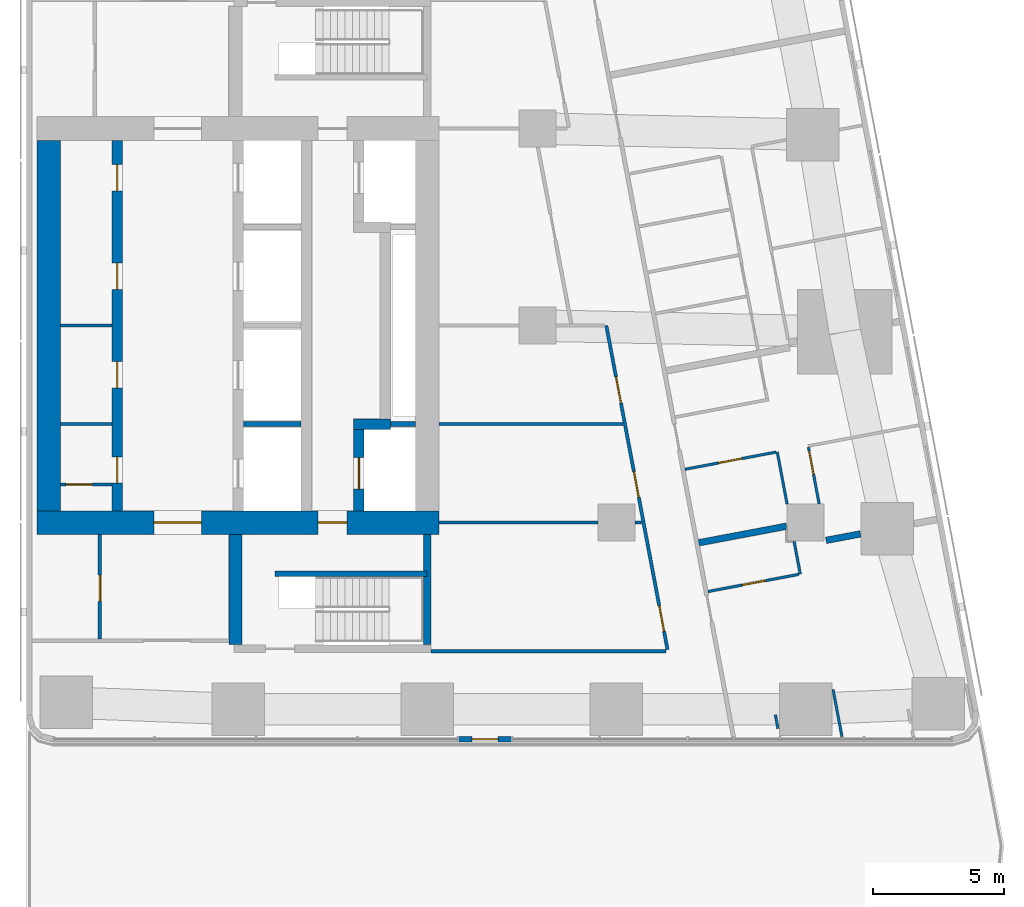
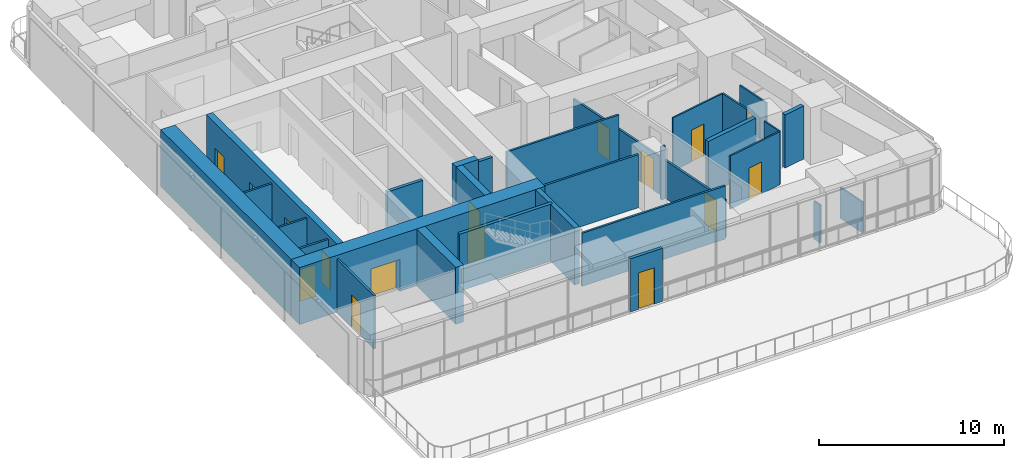
# One storey, part 5 of 12: 29 walls, 16 doors, 16 openings.
"""IFC4 building model written with IfcOpenShell, lengths in metres."""

from ifc_helpers import new_model, si_unit, direction, frame, frame_2d, origin, place, context, subcontext, project, spatial, rectangle, extrude, material, layer, layer_set, type_object, element, fill, save


model = new_model("IFC4")

# Units and contexts
model_context = context("Model", 3, precision=1e-05, world=origin(), true_north=direction((0.0, 1.0)))
body_context = subcontext(model_context, "Body", "Model", "MODEL_VIEW")
ifc_project = project(units=[si_unit("LENGTHUNIT", "METRE"), si_unit("AREAUNIT", "SQUARE_METRE"), si_unit("VOLUMEUNIT", "CUBIC_METRE"), si_unit("PLANEANGLEUNIT", "RADIAN"), si_unit("MASSUNIT", "GRAM", prefix="KILO")], contexts=[model_context])

# Site, building, storey
site_placement = place(None, origin())
site = spatial("IfcSite", under=ifc_project, at=site_placement, CompositionType="ELEMENT")
building_placement = place(site_placement, origin())
building = spatial("IfcBuilding", under=site, at=building_placement, Name="Sheger Commons Tower", CompositionType="ELEMENT")
storey_placement = place(building_placement, frame((0.0, 0.0, 251.60009765625)))
storey = spatial("IfcBuildingStorey", under=building, at=storey_placement, Name="L64", CompositionType="ELEMENT", Elevation=251.60009765625)

# Wall, openings, doors
ifc_material_1 = material(Name="Concrete C50/60", Category="concrete")
ifc_layer_1 = layer(ifc_material_1, 0.39990234375)
ifc_layer_set_1 = layer_set([ifc_layer_1], Name="CORE INNER WALL 400")
wall_type_1 = type_object("IfcWallType", Name="CORE INNER WALL 400", PredefinedType="SHEAR", material=ifc_layer_set_1)
wall_1_placement = place(storey_placement, frame((17.0, 15.449951171875, 0.0), z_axis=(0.0, 0.0, 1.0), x_axis=(0.0, 1.0, 0.0)))
wall_1 = element("IfcWall", 1, at=wall_1_placement, inside=storey, type_object=wall_type_1, Name="Core inner wall A L64", PredefinedType="SHEAR", context=body_context, shape_type="SweptSolid", body=[
    extrude(rectangle(XDim=14.10009765625, YDim=0.39990234375, at=frame_2d((7.050048828125, 0.0))), origin(), (0.0, 0.0, 1.0), 3.75),
])
opening_1_placement = place(wall_1_placement, frame((1.050048828125, 0.0, 0.0)))
opening_1 = element("IfcOpeningElement", 2, at=opening_1_placement, cuts=wall_1, Name="Opening D4", PredefinedType="OPENING", context=body_context, shape_type="SweptSolid", body=[
    extrude(rectangle(XDim=1.0, YDim=2.10009765625, at=frame_2d((0.5, 1.050048828125))), frame((0.0, 0.2099609375, 0.0), z_axis=(0.0, -1.0, 0.0), x_axis=(1.0, 0.0, 0.0)), (0.0, 0.0, 1.0), 0.419921875),
])
opening_2_placement = place(wall_1_placement, frame((4.675048828125, 0.0, 0.0)))
opening_2 = element("IfcOpeningElement", 3, at=opening_2_placement, cuts=wall_1, Name="Opening D4", PredefinedType="OPENING", context=body_context, shape_type="SweptSolid", body=[
    extrude(rectangle(XDim=1.0, YDim=2.10009765625, at=frame_2d((0.5, 1.050048828125))), frame((0.0, 0.2099609375, 0.0), z_axis=(0.0, -1.0, 0.0), x_axis=(1.0, 0.0, 0.0)), (0.0, 0.0, 1.0), 0.419921875),
])
opening_3_placement = place(wall_1_placement, frame((8.425048828125, 0.0, 0.0)))
opening_3 = element("IfcOpeningElement", 4, at=opening_3_placement, cuts=wall_1, Name="Opening D4", PredefinedType="OPENING", context=body_context, shape_type="SweptSolid", body=[
    extrude(rectangle(XDim=1.0, YDim=2.10009765625, at=frame_2d((0.5, 1.050048828125))), frame((0.0, 0.2099609375, 0.0), z_axis=(0.0, -1.0, 0.0), x_axis=(1.0, 0.0, 0.0)), (0.0, 0.0, 1.0), 0.419921875),
])
opening_4_placement = place(wall_1_placement, frame((12.175048828125, 0.0, 0.0)))
opening_4 = element("IfcOpeningElement", 5, at=opening_4_placement, cuts=wall_1, Name="Opening D4", PredefinedType="OPENING", context=body_context, shape_type="SweptSolid", body=[
    extrude(rectangle(XDim=1.0, YDim=2.10009765625, at=frame_2d((0.5, 1.050048828125))), frame((0.0, 0.2099609375, 0.0), z_axis=(0.0, -1.0, 0.0), x_axis=(1.0, 0.0, 0.0)), (0.0, 0.0, 1.0), 0.419921875),
])
ifc_material_2 = material(Name="Steel door set, fire rated", Category="steel")
door_type_1 = type_object("IfcDoorType", Name="SERVICE DOOR 1000x2100", OperationType="NOTDEFINED", PredefinedType="DOOR", material=ifc_material_2)
door_1_placement = place(opening_1_placement, origin())
door_1 = element("IfcDoor", 6, at=door_1_placement, inside=storey, type_object=door_type_1, Name="Cleaner's store door", OperationType="SINGLE_SWING_LEFT", OverallHeight=2.10009765625, OverallWidth=1.0, PredefinedType="DOOR", context=body_context, shape_type="SweptSolid", body=[
    extrude(rectangle(XDim=1.0, YDim=2.10009765625, at=frame_2d((0.5, 1.050048828125))), frame((0.0, 0.02490234375, 0.0), z_axis=(0.0, -1.0, 0.0), x_axis=(1.0, 0.0, 0.0)), (0.0, 0.0, 1.0), 0.050048828125),
])
fill(opening_1, door_1)
door_2_placement = place(opening_2_placement, origin())
door_2 = element("IfcDoor", 7, at=door_2_placement, inside=storey, type_object=door_type_1, Name="IT and telecom room door", OperationType="SINGLE_SWING_LEFT", OverallHeight=2.10009765625, OverallWidth=1.0, PredefinedType="DOOR", context=body_context, shape_type="SweptSolid", body=[
    extrude(rectangle(XDim=1.0, YDim=2.10009765625, at=frame_2d((0.5, 1.050048828125))), frame((0.0, 0.02490234375, 0.0), z_axis=(0.0, -1.0, 0.0), x_axis=(1.0, 0.0, 0.0)), (0.0, 0.0, 1.0), 0.050048828125),
])
fill(opening_2, door_2)
door_3_placement = place(opening_3_placement, origin())
door_3 = element("IfcDoor", 8, at=door_3_placement, inside=storey, type_object=door_type_1, Name="Residents' pantry and vending room door", OperationType="SINGLE_SWING_LEFT", OverallHeight=2.10009765625, OverallWidth=1.0, PredefinedType="DOOR", context=body_context, shape_type="SweptSolid", body=[
    extrude(rectangle(XDim=1.0, YDim=2.10009765625, at=frame_2d((0.5, 1.050048828125))), frame((0.0, 0.02490234375, 0.0), z_axis=(0.0, -1.0, 0.0), x_axis=(1.0, 0.0, 0.0)), (0.0, 0.0, 1.0), 0.050048828125),
])
fill(opening_3, door_3)
door_4_placement = place(opening_4_placement, origin())
door_4 = element("IfcDoor", 9, at=door_4_placement, inside=storey, type_object=door_type_1, Name="Residents' pantry and vending room door", OperationType="SINGLE_SWING_RIGHT", OverallHeight=2.10009765625, OverallWidth=1.0, PredefinedType="DOOR", context=body_context, shape_type="SweptSolid", body=[
    extrude(rectangle(XDim=1.0, YDim=2.10009765625, at=frame_2d((0.5, 1.050048828125))), frame((0.0, 0.02490234375, 0.0), z_axis=(0.0, -1.0, 0.0), x_axis=(1.0, 0.0, 0.0)), (0.0, 0.0, 1.0), 0.050048828125),
])
fill(opening_4, door_4)

# Wall, opening, door
wall_2_placement = place(storey_placement, frame((26.199951171875, 15.449951171875, 0.0), z_axis=(0.0, 0.0, 1.0), x_axis=(0.0, 1.0, 0.0)))
wall_2 = element("IfcWall", 10, at=wall_2_placement, inside=storey, type_object=wall_type_1, Name="Core inner wall F L64", PredefinedType="SHEAR", context=body_context, shape_type="SweptSolid", body=[
    extrude(rectangle(XDim=3.10009765625, YDim=0.39990234375, at=frame_2d((1.550048828125, 0.0))), origin(), (0.0, 0.0, 1.0), 3.75),
])
opening_5_placement = place(wall_2_placement, frame((0.824951171875, 0.0, 0.0)))
opening_5 = element("IfcOpeningElement", 11, at=opening_5_placement, cuts=wall_2, Name="Opening LD2", PredefinedType="OPENING", context=body_context, shape_type="SweptSolid", body=[
    extrude(rectangle(XDim=1.199951171875, YDim=2.10009765625, at=frame_2d((0.60009765625, 1.050048828125))), frame((0.0, 0.2099609375, 0.0), z_axis=(0.0, -1.0, 0.0), x_axis=(1.0, 0.0, 0.0)), (0.0, 0.0, 1.0), 0.419921875),
])
ifc_material_3 = material(Name="Steel door set, fire rated", Category="steel")
door_type_2 = type_object("IfcDoorType", Name="FIREFIGHTING LIFT LANDING DOOR 1200x2100", OperationType="DOUBLE_DOOR_SLIDING", PredefinedType="DOOR", material=ifc_material_3)
door_5_placement = place(opening_5_placement, origin())
door_5 = element("IfcDoor", 12, at=door_5_placement, inside=storey, type_object=door_type_2, Name="Lift FL1 landing door", OperationType="DOUBLE_DOOR_SLIDING", OverallHeight=2.10009765625, OverallWidth=1.199951171875, PredefinedType="DOOR", context=body_context, shape_type="SweptSolid", body=[
    extrude(rectangle(XDim=1.199951171875, YDim=2.10009765625, at=frame_2d((0.60009765625, 1.050048828125))), frame((0.0, 0.02490234375, 0.0), z_axis=(0.0, -1.0, 0.0), x_axis=(1.0, 0.0, 0.0)), (0.0, 0.0, 1.0), 0.050048828125),
])
fill(opening_5, door_5)

# Wall
wall_3_placement = place(storey_placement, frame((26.0, 18.75, 0.0), z_axis=(0.0, 0.0, 1.0), x_axis=(1.0, 0.0, 0.0)))
element("IfcWall", 13, at=wall_3_placement, inside=storey, type_object=wall_type_1, Name="Core inner wall F south return L64", PredefinedType="SHEAR", context=body_context, shape_type="SweptSolid", body=[
    extrude(rectangle(XDim=1.39990234375, YDim=0.39990234375, at=frame_2d((0.699951171875, 0.0))), origin(), (0.0, 0.0, 1.0), 3.75),
])

# Wall, openings, doors
ifc_material_4 = material(Name="Concrete C50/60", Category="concrete")
ifc_layer_2 = layer(ifc_material_4, 0.89990234375)
ifc_layer_set_2 = layer_set([ifc_layer_2], Name="CORE WALL 900")
wall_type_2 = type_object("IfcWallType", Name="CORE WALL 900", PredefinedType="SHEAR", material=ifc_layer_set_2)
wall_4_placement = place(storey_placement, frame((13.949951171875, 15.0, 0.0), z_axis=(0.0, 0.0, 1.0), x_axis=(1.0, 0.0, 0.0)))
wall_4 = element("IfcWall", 14, at=wall_4_placement, inside=storey, type_object=wall_type_2, Name="Core wall south L64", PredefinedType="SHEAR", context=body_context, shape_type="SweptSolid", body=[
    extrude(rectangle(XDim=15.300048828125, YDim=0.89990234375, at=frame_2d((7.64990234375, 0.0))), origin(), (0.0, 0.0, 1.0), 3.75),
])
opening_6_placement = place(wall_4_placement, frame((4.449951171875, 0.0, 0.0)))
opening_6 = element("IfcOpeningElement", 15, at=opening_6_placement, cuts=wall_4, Name="Opening D6", PredefinedType="OPENING", context=body_context, shape_type="SweptSolid", body=[
    extrude(rectangle(XDim=1.800048828125, YDim=2.10009765625, at=frame_2d((0.89990234375, 1.050048828125))), frame((0.0, 0.4599609375, 0.0), z_axis=(0.0, -1.0, 0.0), x_axis=(1.0, 0.0, 0.0)), (0.0, 0.0, 1.0), 0.919921875),
])
opening_7_placement = place(wall_4_placement, frame((10.699951171875, 0.0, 0.0)))
opening_7 = element("IfcOpeningElement", 16, at=opening_7_placement, cuts=wall_4, Name="Opening D5", PredefinedType="OPENING", context=body_context, shape_type="SweptSolid", body=[
    extrude(rectangle(XDim=1.10009765625, YDim=2.10009765625, at=frame_2d((0.550048828125, 1.050048828125))), frame((0.0, 0.4599609375, 0.0), z_axis=(0.0, -1.0, 0.0), x_axis=(1.0, 0.0, 0.0)), (0.0, 0.0, 1.0), 0.919921875),
])
ifc_material_5 = material(Name="Steel door set, fire rated", Category="steel")
door_type_3 = type_object("IfcDoorType", Name="LOBBY DOUBLE DOOR 1800x2100", OperationType="DOUBLE_DOOR_SINGLE_SWING", PredefinedType="DOOR", material=ifc_material_5)
door_6_placement = place(opening_6_placement, origin())
door_6 = element("IfcDoor", 17, at=door_6_placement, inside=storey, type_object=door_type_3, Name="Lift lobby door", OperationType="DOUBLE_DOOR_SINGLE_SWING", OverallHeight=2.10009765625, OverallWidth=1.800048828125, PredefinedType="DOOR", context=body_context, shape_type="SweptSolid", body=[
    extrude(rectangle(XDim=1.800048828125, YDim=2.10009765625, at=frame_2d((0.89990234375, 1.050048828125))), frame((0.0, 0.02490234375, 0.0), z_axis=(0.0, -1.0, 0.0), x_axis=(1.0, 0.0, 0.0)), (0.0, 0.0, 1.0), 0.050048828125),
])
fill(opening_6, door_6)
ifc_material_6 = material(Name="Steel door set, fire rated", Category="steel")
door_type_4 = type_object("IfcDoorType", Name="STAIR DOOR 1100x2100", OperationType="NOTDEFINED", PredefinedType="DOOR", material=ifc_material_6)
door_7_placement = place(opening_7_placement, origin())
door_7 = element("IfcDoor", 18, at=door_7_placement, inside=storey, type_object=door_type_4, Name="Fire-fighting lobby door", OperationType="SINGLE_SWING_LEFT", OverallHeight=2.10009765625, OverallWidth=1.10009765625, PredefinedType="DOOR", context=body_context, shape_type="SweptSolid", body=[
    extrude(rectangle(XDim=1.10009765625, YDim=2.10009765625, at=frame_2d((0.550048828125, 1.050048828125))), frame((0.0, 0.02490234375, 0.0), z_axis=(0.0, -1.0, 0.0), x_axis=(1.0, 0.0, 0.0)), (0.0, 0.0, 1.0), 0.050048828125),
])
fill(opening_7, door_7)

# Walls
wall_5_placement = place(storey_placement, frame((14.39990234375, 15.449951171875, 0.0), z_axis=(0.0, 0.0, 1.0), x_axis=(0.0, 1.0, 0.0)))
element("IfcWall", 19, at=wall_5_placement, inside=storey, type_object=wall_type_2, Name="Core wall west L64", PredefinedType="SHEAR", context=body_context, shape_type="SweptSolid", body=[
    extrude(rectangle(XDim=14.10009765625, YDim=0.89990234375, at=frame_2d((7.050048828125, 0.0))), origin(), (0.0, 0.0, 1.0), 3.75),
])
ifc_material_7 = material(Name="Dense concrete block masonry, plastered both sides (separating wall between flats)", Category="masonry")
ifc_layer_3 = layer(ifc_material_7, 0.25)
ifc_layer_set_3 = layer_set([ifc_layer_3], Name="DEMISING WALL 250")
wall_type_3 = type_object("IfcWallType", Name="DEMISING WALL 250", PredefinedType="SOLIDWALL", material=ifc_layer_set_3)
wall_6_placement = place(storey_placement, frame((45.2900390625, 14.569091796875, 0.0), z_axis=(0.0, 0.0, 1.0), x_axis=(-0.982676759201, -0.185327782391, 0.0)))
element("IfcWall", 20, at=wall_6_placement, inside=storey, type_object=wall_type_3, Name="Demising wall L64", PredefinedType="SOLIDWALL", context=body_context, shape_type="SweptSolid", body=[
    extrude(rectangle(XDim=1.333251953125, YDim=0.25, at=frame_2d((0.66650390625, 0.0))), origin(), (0.0, 0.0, 1.0), 3.5),
])
wall_7_placement = place(storey_placement, frame((42.47607421875, 14.863037109375, 0.0), z_axis=(0.0, 0.0, 1.0), x_axis=(-0.982603567712, -0.185715450942, 0.0)))
element("IfcWall", 21, at=wall_7_placement, inside=storey, type_object=wall_type_3, Name="Demising wall L64", PredefinedType="SOLIDWALL", context=body_context, shape_type="SweptSolid", body=[
    extrude(rectangle(XDim=3.398193359375, YDim=0.25, at=frame_2d((1.69921875, 0.0))), origin(), (0.0, 0.0, 1.0), 3.5),
])

# Wall, opening, door
ifc_material_8 = material(Name="Rendered concrete block masonry, dark grey", Category="masonry")
ifc_layer_4 = layer(ifc_material_8, 0.199951171875)
ifc_layer_set_4 = layer_set([ifc_layer_4], Name="FACADE WALL 200")
wall_type_4 = type_object("IfcWallType", Name="FACADE WALL 200", PredefinedType="SOLIDWALL", material=ifc_layer_set_4)
wall_8_placement = place(storey_placement, frame((30.0, 6.75, 0.0), z_axis=(0.0, 0.0, 1.0), x_axis=(1.0, 0.0, 0.0)))
wall_8 = element("IfcWall", 22, at=wall_8_placement, inside=storey, type_object=wall_type_4, Name="Terrace door wall L64", PredefinedType="SOLIDWALL", context=body_context, shape_type="SweptSolid", body=[
    extrude(rectangle(XDim=2.0, YDim=0.199951171875, at=frame_2d((1.0, 0.0))), origin(), (0.0, 0.0, 1.0), 3.5),
])
opening_8_placement = place(wall_8_placement, frame((0.5, 0.0, 0.0)))
opening_8 = element("IfcOpeningElement", 23, at=opening_8_placement, cuts=wall_8, Name="Opening DT1", PredefinedType="OPENING", context=body_context, shape_type="SweptSolid", body=[
    extrude(rectangle(XDim=1.0, YDim=2.39990234375, at=frame_2d((0.5, 1.199951171875))), frame((0.0, 0.10986328125, 0.0), z_axis=(0.0, -1.0, 0.0), x_axis=(1.0, 0.0, 0.0)), (0.0, 0.0, 1.0), 0.219970703125),
])
ifc_material_9 = material(Name="Black aluminium frame, dark tinted glazing", Category="aluminium")
door_type_5 = type_object("IfcDoorType", Name="TERRACE DOOR 1000x2400", OperationType="SINGLE_SWING_RIGHT", PredefinedType="DOOR", material=ifc_material_9)
door_8_placement = place(opening_8_placement, origin())
door_8 = element("IfcDoor", 24, at=door_8_placement, inside=storey, type_object=door_type_5, Name="Terrace door", OperationType="SINGLE_SWING_RIGHT", OverallHeight=2.39990234375, OverallWidth=1.0, PredefinedType="DOOR", context=body_context, shape_type="SweptSolid", body=[
    extrude(rectangle(XDim=1.0, YDim=2.39990234375, at=frame_2d((0.5, 1.199951171875))), frame((0.0, 0.02490234375, 0.0), z_axis=(0.0, -1.0, 0.0), x_axis=(1.0, 0.0, 0.0)), (0.0, 0.0, 1.0), 0.050048828125),
])
fill(opening_8, door_8)

# Walls
ifc_material_10 = material(Name="Gypsum board on steel studs", Category="steel")
ifc_layer_5 = layer(ifc_material_10, 0.10009765625)
ifc_layer_set_5 = layer_set([ifc_layer_5], Name="PARTITION 100")
wall_type_5 = type_object("IfcWallType", Name="PARTITION 100", PredefinedType="PARTITIONING", material=ifc_layer_set_5)
wall_9_placement = place(storey_placement, frame((44.248046875, 8.64599609375, 0.0), z_axis=(0.0, 0.0, 1.0), x_axis=(0.185417594585, -0.982659816833, 0.0)))
element("IfcWall", 25, at=wall_9_placement, inside=storey, type_object=wall_type_5, Name="Partition L64", PredefinedType="PARTITIONING", context=body_context, shape_type="SweptSolid", body=[
    extrude(rectangle(XDim=1.82763671875, YDim=0.10009765625, at=frame_2d((0.913818359375, 0.0))), origin(), (0.0, 0.0, 1.0), 2.0498046875),
])
wall_10_placement = place(storey_placement, frame((42.15087890625, 7.159912109375, 0.0), z_axis=(0.0, 0.0, 1.0), x_axis=(-0.185366164644, 0.982669519729, 0.0)))
element("IfcWall", 26, at=wall_10_placement, inside=storey, type_object=wall_type_5, Name="Partition L64", PredefinedType="PARTITIONING", context=body_context, shape_type="SweptSolid", body=[
    extrude(rectangle(XDim=0.533447265625, YDim=0.10009765625, at=frame_2d((0.2666015625, 0.0))), origin(), (0.0, 0.0, 1.0), 2.5),
])

# Wall, opening, door
wall_11_placement = place(storey_placement, frame((43.31103515625, 17.864990234375, 0.0), z_axis=(0.0, 0.0, 1.0), x_axis=(0.185572140257, -0.982630643101, 0.0)))
wall_11 = element("IfcWall", 27, at=wall_11_placement, inside=storey, type_object=wall_type_5, Name="Partition L64", PredefinedType="PARTITIONING", context=body_context, shape_type="SweptSolid", body=[
    extrude(rectangle(XDim=2.193115234375, YDim=0.10009765625, at=frame_2d((1.0966796875, 0.0))), origin(), (0.0, 0.0, 1.0), 3.5),
])
opening_9_placement = place(wall_11_placement, frame((0.14990234375, 0.0, 0.0)))
opening_9 = element("IfcOpeningElement", 28, at=opening_9_placement, cuts=wall_11, Name="Opening D2", PredefinedType="OPENING", context=body_context, shape_type="SweptSolid", body=[
    extrude(rectangle(XDim=0.89990234375, YDim=2.10009765625, at=frame_2d((0.449951171875, 1.050048828125))), frame((0.0, 0.06005859375, 0.0), z_axis=(0.0, -1.0, 0.0), x_axis=(1.0, 0.0, 0.0)), (0.0, 0.0, 1.0), 0.1201171875),
])
ifc_material_11 = material(Name="Timber door set", Category="wood")
door_type_6 = type_object("IfcDoorType", Name="INTERNAL DOOR 900x2100", OperationType="NOTDEFINED", PredefinedType="DOOR", material=ifc_material_11)
door_9_placement = place(opening_9_placement, origin())
door_9 = element("IfcDoor", 29, at=door_9_placement, inside=storey, type_object=door_type_6, Name="Main bedroom door", OperationType="SINGLE_SWING_LEFT", OverallHeight=2.10009765625, OverallWidth=0.89990234375, PredefinedType="DOOR", context=body_context, shape_type="SweptSolid", body=[
    extrude(rectangle(XDim=0.89990234375, YDim=2.10009765625, at=frame_2d((0.449951171875, 1.050048828125))), frame((0.0, 0.02490234375, 0.0), z_axis=(0.0, -1.0, 0.0), x_axis=(1.0, 0.0, 0.0)), (0.0, 0.0, 1.0), 0.050048828125),
])
fill(opening_9, door_9)

# Wall
wall_12_placement = place(storey_placement, frame((42.123046875, 17.69091796875, 0.0), z_axis=(0.0, 0.0, 1.0), x_axis=(0.185183804812, -0.98270390171, 0.0)))
element("IfcWall", 30, at=wall_12_placement, inside=storey, type_object=wall_type_5, Name="Partition L64", PredefinedType="PARTITIONING", context=body_context, shape_type="SweptSolid", body=[
    extrude(rectangle(XDim=2.02490234375, YDim=0.10009765625, at=frame_2d((1.012451171875, 0.0))), origin(), (0.0, 0.0, 1.0), 3.5),
])

# Wall, opening, door
wall_13_placement = place(storey_placement, frame((42.073974609375, 17.681884765625, 0.0), z_axis=(0.0, 0.0, 1.0), x_axis=(-0.982660701716, -0.185412904897, 0.0)))
wall_13 = element("IfcWall", 31, at=wall_13_placement, inside=storey, type_object=wall_type_5, Name="Partition L64", PredefinedType="PARTITIONING", context=body_context, shape_type="SweptSolid", body=[
    extrude(rectangle(XDim=3.526123046875, YDim=0.10009765625, at=frame_2d((1.76318359375, 0.0))), origin(), (0.0, 0.0, 1.0), 3.5),
])
opening_10_placement = place(wall_13_placement, frame((1.325927734375, 0.0, 0.0)))
opening_10 = element("IfcOpeningElement", 32, at=opening_10_placement, cuts=wall_13, Name="Opening D2", PredefinedType="OPENING", context=body_context, shape_type="SweptSolid", body=[
    extrude(rectangle(XDim=0.89990234375, YDim=2.10009765625, at=frame_2d((0.449951171875, 1.050048828125))), frame((0.0, 0.06005859375, 0.0), z_axis=(0.0, -1.0, 0.0), x_axis=(1.0, 0.0, 0.0)), (0.0, 0.0, 1.0), 0.1201171875),
])
door_10_placement = place(opening_10_placement, origin())
door_10 = element("IfcDoor", 33, at=door_10_placement, inside=storey, type_object=door_type_6, Name="Store door", OperationType="SINGLE_SWING_RIGHT", OverallHeight=2.10009765625, OverallWidth=0.89990234375, PredefinedType="DOOR", context=body_context, shape_type="SweptSolid", body=[
    extrude(rectangle(XDim=0.89990234375, YDim=2.10009765625, at=frame_2d((0.449951171875, 1.050048828125))), frame((0.0, 0.02490234375, 0.0), z_axis=(0.0, -1.0, 0.0), x_axis=(1.0, 0.0, 0.0)), (0.0, 0.0, 1.0), 0.050048828125),
])
fill(opening_10, door_10)

# Wall
wall_14_placement = place(storey_placement, frame((42.764892578125, 14.2900390625, 0.0), z_axis=(0.0, 0.0, 1.0), x_axis=(0.185446293138, -0.982654401283, 0.0)))
element("IfcWall", 34, at=wall_14_placement, inside=storey, type_object=wall_type_5, Name="Partition L64", PredefinedType="PARTITIONING", context=body_context, shape_type="SweptSolid", body=[
    extrude(rectangle(XDim=1.27294921875, YDim=0.10009765625, at=frame_2d((0.636474609375, 0.0))), origin(), (0.0, 0.0, 1.0), 3.5),
])

# Wall, opening, door
wall_15_placement = place(storey_placement, frame((42.951904296875, 13.030029296875, 0.0), z_axis=(0.0, 0.0, 1.0), x_axis=(-0.982585626838, -0.185810349366, 0.0)))
wall_15 = element("IfcWall", 35, at=wall_15_placement, inside=storey, type_object=wall_type_5, Name="Partition L64", PredefinedType="PARTITIONING", context=body_context, shape_type="SweptSolid", body=[
    extrude(rectangle(XDim=3.525146484375, YDim=0.10009765625, at=frame_2d((1.7626953125, 0.0))), origin(), (0.0, 0.0, 1.0), 3.5),
])
opening_11_placement = place(wall_15_placement, frame((1.299072265625, 0.0, 0.0)))
opening_11 = element("IfcOpeningElement", 36, at=opening_11_placement, cuts=wall_15, Name="Opening D2", PredefinedType="OPENING", context=body_context, shape_type="SweptSolid", body=[
    extrude(rectangle(XDim=0.89990234375, YDim=2.10009765625, at=frame_2d((0.449951171875, 1.050048828125))), frame((0.0, 0.06005859375, 0.0), z_axis=(0.0, -1.0, 0.0), x_axis=(1.0, 0.0, 0.0)), (0.0, 0.0, 1.0), 0.1201171875),
])
door_11_placement = place(opening_11_placement, origin())
door_11 = element("IfcDoor", 37, at=door_11_placement, inside=storey, type_object=door_type_6, Name="Shower room door", OperationType="SINGLE_SWING_RIGHT", OverallHeight=2.10009765625, OverallWidth=0.89990234375, PredefinedType="DOOR", context=body_context, shape_type="SweptSolid", body=[
    extrude(rectangle(XDim=0.89990234375, YDim=2.10009765625, at=frame_2d((0.449951171875, 1.050048828125))), frame((0.0, 0.02490234375, 0.0), z_axis=(0.0, -1.0, 0.0), x_axis=(1.0, 0.0, 0.0)), (0.0, 0.0, 1.0), 0.050048828125),
])
fill(opening_11, door_11)

ifc_material_12 = material(Name="Gypsum board on steel studs, two layers each side, fire rated", Category="steel")
ifc_layer_6 = layer(ifc_material_12, 0.125)
ifc_layer_set_6 = layer_set([ifc_layer_6], Name="SERVICE WALL 125")
wall_type_6 = type_object("IfcWallType", Name="SERVICE WALL 125", PredefinedType="PARTITIONING", material=ifc_layer_set_6)
wall_16_placement = place(storey_placement, frame((16.340087890625, 10.56201171875, 0.0), z_axis=(0.0, 0.0, 1.0), x_axis=(0.0, 1.0, 0.0)))
wall_16 = element("IfcWall", 38, at=wall_16_placement, inside=storey, type_object=wall_type_6, Name="Service room wall L64", PredefinedType="PARTITIONING", context=body_context, shape_type="SweptSolid", body=[
    extrude(rectangle(XDim=3.988037109375, YDim=0.125, at=frame_2d((1.994140625, 0.0))), origin(), (0.0, 0.0, 1.0), 3.5),
])
opening_12_placement = place(wall_16_placement, frame((1.43798828125, 0.0, 0.0)))
opening_12 = element("IfcOpeningElement", 39, at=opening_12_placement, cuts=wall_16, Name="Opening D4", PredefinedType="OPENING", context=body_context, shape_type="SweptSolid", body=[
    extrude(rectangle(XDim=1.0, YDim=2.10009765625, at=frame_2d((0.5, 1.050048828125))), frame((0.0, 0.072509765625, 0.0), z_axis=(0.0, -1.0, 0.0), x_axis=(1.0, 0.0, 0.0)), (0.0, 0.0, 1.0), 0.14501953125),
])
door_12_placement = place(opening_12_placement, origin())
door_12 = element("IfcDoor", 40, at=door_12_placement, inside=storey, type_object=door_type_1, Name="Electrical room door", OperationType="SINGLE_SWING_LEFT", OverallHeight=2.10009765625, OverallWidth=1.0, PredefinedType="DOOR", context=body_context, shape_type="SweptSolid", body=[
    extrude(rectangle(XDim=1.0, YDim=2.10009765625, at=frame_2d((0.5, 1.050048828125))), frame((0.0, 0.02490234375, 0.0), z_axis=(0.0, -1.0, 0.0), x_axis=(1.0, 0.0, 0.0)), (0.0, 0.0, 1.0), 0.050048828125),
])
fill(opening_12, door_12)

# Wall
wall_17_placement = place(storey_placement, frame((28.949951171875, 10.10009765625, 0.0), z_axis=(0.0, 0.0, 1.0), x_axis=(1.0, 0.0, 0.0)))
element("IfcWall", 41, at=wall_17_placement, inside=storey, type_object=wall_type_6, Name="Service room wall L64", PredefinedType="PARTITIONING", context=body_context, shape_type="SweptSolid", body=[
    extrude(rectangle(XDim=8.93310546875, YDim=0.125, at=frame_2d((4.466552734375, 0.0))), origin(), (0.0, 0.0, 1.0), 3.5),
])

# Wall, openings, doors
wall_18_placement = place(storey_placement, frame((37.947021484375, 10.1630859375, 0.0), z_axis=(0.0, 0.0, 1.0), x_axis=(-0.185589250699, 0.982627411599, 0.0)))
wall_18 = element("IfcWall", 42, at=wall_18_placement, inside=storey, type_object=wall_type_6, Name="Service room wall L64", PredefinedType="PARTITIONING", context=body_context, shape_type="SweptSolid", body=[
    extrude(rectangle(XDim=12.554931640625, YDim=0.125, at=frame_2d((6.27734375, 0.0))), origin(), (0.0, 0.0, 1.0), 2.5),
])
opening_13_placement = place(wall_18_placement, frame((0.7080078125, 0.0, 0.0)))
opening_13 = element("IfcOpeningElement", 43, at=opening_13_placement, cuts=wall_18, Name="Opening D4", PredefinedType="OPENING", context=body_context, shape_type="SweptSolid", body=[
    extrude(rectangle(XDim=1.0, YDim=2.10009765625, at=frame_2d((0.5, 1.050048828125))), frame((0.0, 0.072509765625, 0.0), z_axis=(0.0, -1.0, 0.0), x_axis=(1.0, 0.0, 0.0)), (0.0, 0.0, 1.0), 0.14501953125),
])
opening_14_placement = place(wall_18_placement, frame((5.89990234375, 0.0, 0.0)))
opening_14 = element("IfcOpeningElement", 44, at=opening_14_placement, cuts=wall_18, Name="Opening D4", PredefinedType="OPENING", context=body_context, shape_type="SweptSolid", body=[
    extrude(rectangle(XDim=1.0, YDim=2.10009765625, at=frame_2d((0.5, 1.050048828125))), frame((0.0, 0.072509765625, 0.0), z_axis=(0.0, -1.0, 0.0), x_axis=(1.0, 0.0, 0.0)), (0.0, 0.0, 1.0), 0.14501953125),
])
opening_15_placement = place(wall_18_placement, frame((9.56201171875, 0.0, 0.0)))
opening_15 = element("IfcOpeningElement", 45, at=opening_15_placement, cuts=wall_18, Name="Opening D4", PredefinedType="OPENING", context=body_context, shape_type="SweptSolid", body=[
    extrude(rectangle(XDim=1.0, YDim=2.10009765625, at=frame_2d((0.5, 1.050048828125))), frame((0.0, 0.072509765625, 0.0), z_axis=(0.0, -1.0, 0.0), x_axis=(1.0, 0.0, 0.0)), (0.0, 0.0, 1.0), 0.14501953125),
])
door_13_placement = place(opening_13_placement, origin())
door_13 = element("IfcDoor", 46, at=door_13_placement, inside=storey, type_object=door_type_1, Name="Residents' study room door", OperationType="SINGLE_SWING_LEFT", OverallHeight=2.10009765625, OverallWidth=1.0, PredefinedType="DOOR", context=body_context, shape_type="SweptSolid", body=[
    extrude(rectangle(XDim=1.0, YDim=2.10009765625, at=frame_2d((0.5, 1.050048828125))), frame((0.0, 0.02490234375, 0.0), z_axis=(0.0, -1.0, 0.0), x_axis=(1.0, 0.0, 0.0)), (0.0, 0.0, 1.0), 0.050048828125),
])
fill(opening_13, door_13)
door_14_placement = place(opening_14_placement, origin())
door_14 = element("IfcDoor", 47, at=door_14_placement, inside=storey, type_object=door_type_1, Name="Residents' hobby room door", OperationType="SINGLE_SWING_LEFT", OverallHeight=2.10009765625, OverallWidth=1.0, PredefinedType="DOOR", context=body_context, shape_type="SweptSolid", body=[
    extrude(rectangle(XDim=1.0, YDim=2.10009765625, at=frame_2d((0.5, 1.050048828125))), frame((0.0, 0.02490234375, 0.0), z_axis=(0.0, -1.0, 0.0), x_axis=(1.0, 0.0, 0.0)), (0.0, 0.0, 1.0), 0.050048828125),
])
fill(opening_14, door_14)
door_15_placement = place(opening_15_placement, origin())
door_15 = element("IfcDoor", 48, at=door_15_placement, inside=storey, type_object=door_type_1, Name="Bicycle and pram store door", OperationType="SINGLE_SWING_LEFT", OverallHeight=2.10009765625, OverallWidth=1.0, PredefinedType="DOOR", context=body_context, shape_type="SweptSolid", body=[
    extrude(rectangle(XDim=1.0, YDim=2.10009765625, at=frame_2d((0.5, 1.050048828125))), frame((0.0, 0.02490234375, 0.0), z_axis=(0.0, -1.0, 0.0), x_axis=(1.0, 0.0, 0.0)), (0.0, 0.0, 1.0), 0.050048828125),
])
fill(opening_15, door_15)

# Walls
wall_19_placement = place(storey_placement, frame((29.25, 15.0, 0.0), z_axis=(0.0, 0.0, 1.0), x_axis=(1.0, 0.0, 0.0)))
element("IfcWall", 49, at=wall_19_placement, inside=storey, type_object=wall_type_6, Name="Service room wall L64", PredefinedType="PARTITIONING", context=body_context, shape_type="SweptSolid", body=[
    extrude(rectangle(XDim=6.049072265625, YDim=0.125, at=frame_2d((3.0244140625, 0.0))), origin(), (0.0, 0.0, 1.0), 3.5),
])
wall_20_placement = place(storey_placement, frame((36.700927734375, 15.0, 0.0), z_axis=(0.0, 0.0, 1.0), x_axis=(1.0, 0.0, 0.0)))
element("IfcWall", 50, at=wall_20_placement, inside=storey, type_object=wall_type_6, Name="Service room wall L64", PredefinedType="PARTITIONING", context=body_context, shape_type="SweptSolid", body=[
    extrude(rectangle(XDim=0.257080078125, YDim=0.125, at=frame_2d((0.12841796875, 0.0))), origin(), (0.0, 0.0, 1.0), 3.5),
])
wall_21_placement = place(storey_placement, frame((29.25, 18.75, 0.0), z_axis=(0.0, 0.0, 1.0), x_axis=(1.0, 0.0, 0.0)))
element("IfcWall", 51, at=wall_21_placement, inside=storey, type_object=wall_type_6, Name="Service room wall L64", PredefinedType="PARTITIONING", context=body_context, shape_type="SweptSolid", body=[
    extrude(rectangle(XDim=7.0, YDim=0.125, at=frame_2d((3.5, 0.0))), origin(), (0.0, 0.0, 1.0), 3.5),
])

# Wall, opening, door
wall_22_placement = place(storey_placement, frame((14.85009765625, 16.449951171875, 0.0), z_axis=(0.0, 0.0, 1.0), x_axis=(1.0, 0.0, 0.0)))
wall_22 = element("IfcWall", 52, at=wall_22_placement, inside=storey, type_object=wall_type_6, Name="Service room wall L64", PredefinedType="PARTITIONING", context=body_context, shape_type="SweptSolid", body=[
    extrude(rectangle(XDim=1.949951171875, YDim=0.125, at=frame_2d((0.97509765625, 0.0))), origin(), (0.0, 0.0, 1.0), 3.5),
])
opening_16_placement = place(wall_22_placement, frame((0.199951171875, 0.0, 0.0)))
opening_16 = element("IfcOpeningElement", 53, at=opening_16_placement, cuts=wall_22, Name="Opening D4", PredefinedType="OPENING", context=body_context, shape_type="SweptSolid", body=[
    extrude(rectangle(XDim=1.0, YDim=2.10009765625, at=frame_2d((0.5, 1.050048828125))), frame((0.0, 0.072509765625, 0.0), z_axis=(0.0, -1.0, 0.0), x_axis=(1.0, 0.0, 0.0)), (0.0, 0.0, 1.0), 0.14501953125),
])
door_16_placement = place(opening_16_placement, origin())
door_16 = element("IfcDoor", 54, at=door_16_placement, inside=storey, type_object=door_type_1, Name="Electrical riser door", OperationType="SINGLE_SWING_RIGHT", OverallHeight=2.10009765625, OverallWidth=1.0, PredefinedType="DOOR", context=body_context, shape_type="SweptSolid", body=[
    extrude(rectangle(XDim=1.0, YDim=2.10009765625, at=frame_2d((0.5, 1.050048828125))), frame((0.0, 0.02490234375, 0.0), z_axis=(0.0, -1.0, 0.0), x_axis=(1.0, 0.0, 0.0)), (0.0, 0.0, 1.0), 0.050048828125),
])
fill(opening_16, door_16)

# Walls
for number, where, z_axis, x_axis, name in (
    (55, (14.85009765625, 18.75, 0.0), (0.0, 0.0, 1.0), (1.0, 0.0, 0.0), "Service room wall L64"),
    (56, (14.85009765625, 22.5, 0.0), (0.0, 0.0, 1.0), (1.0, 0.0, 0.0), "Service room wall L64"),
):
    element("IfcWall", number, at=place(storey_placement, frame(where, z_axis=z_axis, x_axis=x_axis)), inside=storey, type_object=wall_type_6, Name=name, PredefinedType="PARTITIONING", context=body_context, shape_type="SweptSolid", body=[
        extrude(rectangle(XDim=1.949951171875, YDim=0.125, at=frame_2d((0.97509765625, 0.0))), origin(), (0.0, 0.0, 1.0), 3.5),
    ])
ifc_material_13 = material(Name="Hollow concrete block masonry", Category="masonry")
ifc_layer_7 = layer(ifc_material_13, 0.199951171875)
ifc_layer_set_7 = layer_set([ifc_layer_7], Name="SHAFT WALL 200")
wall_type_7 = type_object("IfcWallType", Name="SHAFT WALL 200", PredefinedType="SOLIDWALL", material=ifc_layer_set_7)
wall_23_placement = place(storey_placement, frame((21.800048828125, 18.75, 0.0), z_axis=(0.0, 0.0, 1.0), x_axis=(1.0, 0.0, 0.0)))
element("IfcWall", 57, at=wall_23_placement, inside=storey, type_object=wall_type_7, Name="Lift shaft wall L64", PredefinedType="SOLIDWALL", context=body_context, shape_type="SweptSolid", body=[
    extrude(rectangle(XDim=2.199951171875, YDim=0.199951171875, at=frame_2d((1.10009765625, 0.0))), origin(), (0.0, 0.0, 1.0), 3.5),
])
wall_24_placement = place(storey_placement, frame((27.39990234375, 18.75, 0.0), z_axis=(0.0, 0.0, 1.0), x_axis=(1.0, 0.0, 0.0)))
element("IfcWall", 58, at=wall_24_placement, inside=storey, type_object=wall_type_7, Name="Lift shaft wall L64", PredefinedType="SOLIDWALL", context=body_context, shape_type="SweptSolid", body=[
    extrude(rectangle(XDim=0.9501953125, YDim=0.199951171875, at=frame_2d((0.47509765625, 0.0))), origin(), (0.0, 0.0, 1.0), 3.5),
])
ifc_material_14 = material(Name="Concrete C50/60", Category="concrete")
ifc_layer_8 = layer(ifc_material_14, 0.300048828125)
ifc_layer_set_8 = layer_set([ifc_layer_8], Name="STAIR CORE WALL 300")
wall_type_8 = type_object("IfcWallType", Name="STAIR CORE WALL 300", PredefinedType="SHEAR", material=ifc_layer_set_8)
wall_25_placement = place(storey_placement, frame((28.800048828125, 10.35009765625, 0.0), z_axis=(0.0, 0.0, 1.0), x_axis=(0.0, 1.0, 0.0)))
element("IfcWall", 59, at=wall_25_placement, inside=storey, type_object=wall_type_8, Name="STW-L64-S1E", PredefinedType="SHEAR", context=body_context, shape_type="SweptSolid", body=[
    extrude(rectangle(XDim=4.199951171875, YDim=0.300048828125, at=frame_2d((2.10009765625, 0.0))), origin(), (0.0, 0.0, 1.0), 3.75),
])
ifc_material_15 = material(Name="Concrete C50/60", Category="concrete")
ifc_layer_9 = layer(ifc_material_15, 0.5)
ifc_layer_set_9 = layer_set([ifc_layer_9], Name="STAIR CORE WALL 500")
wall_type_9 = type_object("IfcWallType", Name="STAIR CORE WALL 500", PredefinedType="SHEAR", material=ifc_layer_set_9)
wall_26_placement = place(storey_placement, frame((21.5, 10.35009765625, 0.0), z_axis=(0.0, 0.0, 1.0), x_axis=(0.0, 1.0, 0.0)))
element("IfcWall", 60, at=wall_26_placement, inside=storey, type_object=wall_type_9, Name="STW-L64-S1W", PredefinedType="SHEAR", context=body_context, shape_type="SweptSolid", body=[
    extrude(rectangle(XDim=4.199951171875, YDim=0.5, at=frame_2d((2.10009765625, 0.0))), origin(), (0.0, 0.0, 1.0), 3.75),
])
ifc_material_16 = material(Name="Concrete C50/60", Category="concrete")
ifc_layer_10 = layer(ifc_material_16, 0.199951171875)
ifc_layer_set_10 = layer_set([ifc_layer_10], Name="STAIR SPINE WALL 200")
wall_type_10 = type_object("IfcWallType", Name="STAIR SPINE WALL 200", PredefinedType="SHEAR", material=ifc_layer_set_10)
wall_27_placement = place(storey_placement, frame((23.0, 13.050048828125, 0.0), z_axis=(0.0, 0.0, 1.0), x_axis=(1.0, 0.0, 0.0)))
element("IfcWall", 61, at=wall_27_placement, inside=storey, type_object=wall_type_10, Name="Stair spine wall L64", PredefinedType="SHEAR", context=body_context, shape_type="SweptSolid", body=[
    extrude(rectangle(XDim=5.800048828125, YDim=0.199951171875, at=frame_2d((2.89990234375, 0.0))), origin(), (0.0, 0.0, 1.0), 3.75),
])

save(model, "model.ifc")
